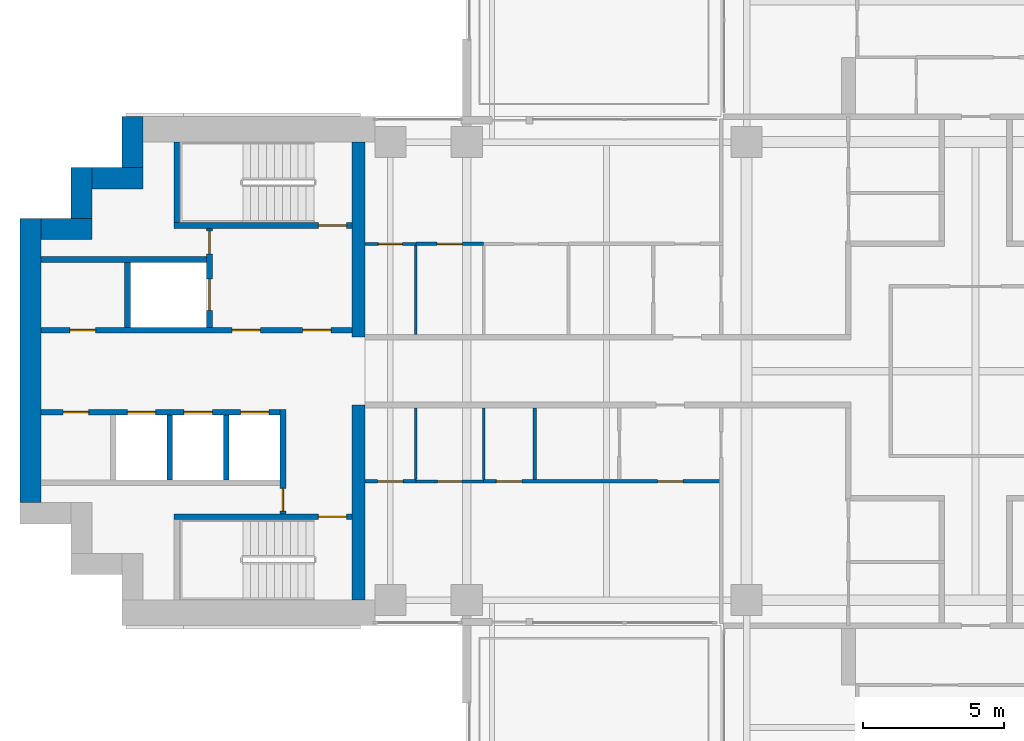
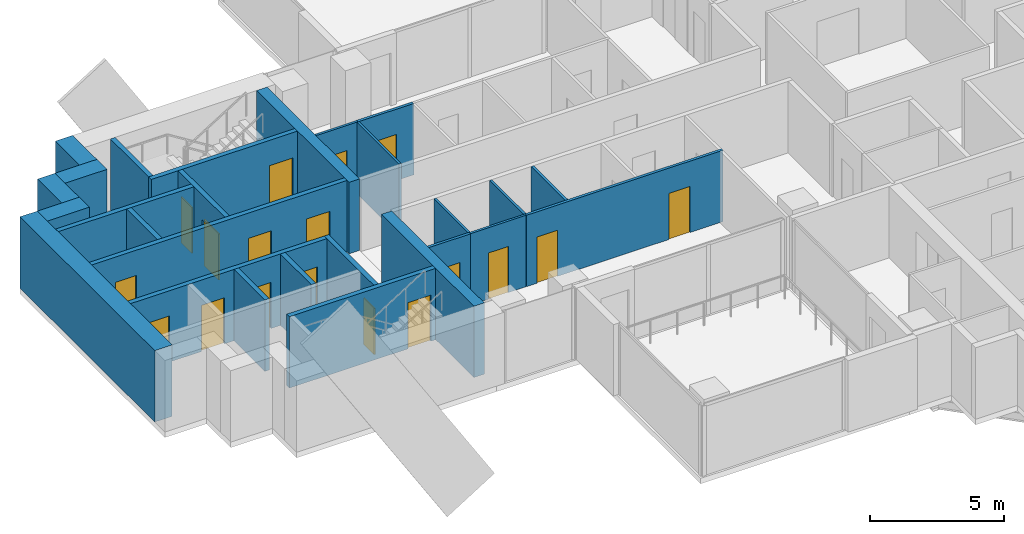
# One storey, part 9 of 19: 27 walls, 18 doors, 18 openings.
"""IFC4 building model written with IfcOpenShell, lengths in metres."""

import ifcopenshell
import ifcopenshell.guid

model = None  # the IFC model being written
_history = None  # IfcOwnerHistory: only IFC2X3 demands one
_inside = {}  # id of a spatial element -> (the spatial element, [elements in it])
_under = {}  # id of a project, library or spatial element -> (it, [spatial elements below it])
_declared = {}  # id of a project -> (the project, [libraries it declares])
_typed = {}  # id of a type object -> (the type object, [elements of that type])
_made_of = {}  # id of a material, layer set ... -> (it, [elements and type objects made of it])


def new_model(schema):
    """Start an empty IFC model of exactly this schema.

    Asked for "IFC4X3", IfcOpenShell would pick the latest addendum, in which some entities
    have other attributes; the version numbers below select the first issue.
    IFC2X3 requires an IfcOwnerHistory on every rooted entity: one is made here for all.
    """
    global model, _history
    if schema == "IFC4X3":
        model = ifcopenshell.file(schema_version=(4, 3, 0, 0))
    else:
        model = ifcopenshell.file(schema=schema)
    _inside.clear()
    _under.clear()
    _declared.clear()
    _typed.clear()
    _made_of.clear()
    _history = None
    if model.schema == "IFC2X3":
        org = make("IfcOrganization", Name="unknown")
        user = make(
            "IfcPersonAndOrganization",
            ThePerson=make("IfcPerson", FamilyName="unknown"),
            TheOrganization=org,
        )
        app = make(
            "IfcApplication",
            ApplicationDeveloper=org,
            Version="unknown",
            ApplicationFullName="unknown",
            ApplicationIdentifier="unknown",
        )
        _history = make(
            "IfcOwnerHistory",
            OwningUser=user,
            OwningApplication=app,
            ChangeAction="ADDED",
            CreationDate=0,
        )
    return model


def make(cls, **values):
    """One entity of the class cls with the attributes given. An attribute that is None is left unset."""
    return model.create_entity(
        cls, **{name: value for name, value in values.items() if value is not None}
    )


def rooted(cls, **values):
    """An entity with a GlobalId (a new one), such as an element, a storey or a relation."""
    return make(cls, GlobalId=ifcopenshell.guid.new(), OwnerHistory=_history, **values)


def si_unit(unit_type, name, prefix=None):
    """IfcSIUnit, for example si_unit("LENGTHUNIT", "METRE", prefix="MILLI")."""
    return make("IfcSIUnit", UnitType=unit_type, Prefix=prefix, Name=name)


def assignment(units):
    """IfcUnitAssignment: the units of a project."""
    return None if units is None else make("IfcUnitAssignment", Units=units)


def point(xyz):
    """IfcCartesianPoint."""
    return None if xyz is None else make("IfcCartesianPoint", Coordinates=xyz)


def direction(xyz):
    """IfcDirection."""
    return None if xyz is None else make("IfcDirection", DirectionRatios=xyz)


def frame(location, z_axis=None, x_axis=None):
    """IfcAxis2Placement3D, a coordinate frame: its origin and axes. An axis left out is left unset."""
    return make(
        "IfcAxis2Placement3D",
        Location=point(location),
        Axis=direction(z_axis),
        RefDirection=direction(x_axis),
    )


def frame_2d(location, x_axis=None):
    """IfcAxis2Placement2D, a coordinate frame in the plane: its origin and x axis."""
    return make(
        "IfcAxis2Placement2D", Location=point(location), RefDirection=direction(x_axis)
    )


def origin():
    """The frame at (0, 0, 0) with its axes left unset."""
    return frame((0.0, 0.0, 0.0))


def place(relative_to, where):
    """IfcLocalPlacement: puts the frame where relative to a parent placement (None: the world)."""
    return make(
        "IfcLocalPlacement", PlacementRelTo=relative_to, RelativePlacement=where
    )


def context(
    kind, dimensions, precision=None, world=None, true_north=None, identifier=None
):
    """IfcGeometricRepresentationContext, for example the 3D "Model" context."""
    return make(
        "IfcGeometricRepresentationContext",
        ContextIdentifier=identifier,
        ContextType=kind,
        CoordinateSpaceDimension=dimensions,
        Precision=precision,
        WorldCoordinateSystem=world,
        TrueNorth=true_north,
    )


def subcontext(parent, identifier, kind, view, scale=None):
    """IfcGeometricRepresentationSubContext, for example "Body" below "Model"."""
    return make(
        "IfcGeometricRepresentationSubContext",
        ContextIdentifier=identifier,
        ContextType=kind,
        ParentContext=parent,
        TargetScale=scale,
        TargetView=view,
    )


def project(units=None, contexts=None):
    """IfcProject with its units and contexts."""
    return rooted(
        "IfcProject",
        Name="project",
        RepresentationContexts=contexts,
        UnitsInContext=assignment(units),
    )


def spatial(cls, under=None, at=None, **own):
    """A site, building, storey or space (cls), placed at a placement, below another one or the project."""
    s = rooted(cls, ObjectPlacement=at, **own)
    if under is not None:
        _under.setdefault(under.id(), (under, []))[1].append(s)
    return s


def profile(cls, at=None, kind="AREA", **sizes):
    """A parametric profile (cls). Its sizes go by their IFC names, for example OverallWidth=200.0."""
    return make(cls, ProfileType=kind, Position=at, **sizes)


def rectangle(**sizes):
    """IfcRectangleProfileDef."""
    return profile("IfcRectangleProfileDef", **sizes)


def extrude(swept, where, along, depth):
    """IfcExtrudedAreaSolid: the profile swept, set in the frame where, extruded along a direction by depth."""
    return make(
        "IfcExtrudedAreaSolid",
        SweptArea=swept,
        Position=where,
        ExtrudedDirection=direction(along),
        Depth=depth,
    )


def shape(context_of_items, identifier, shape_type, items):
    """IfcShapeRepresentation: the items that make up one representation, for example the "Body"."""
    return make(
        "IfcShapeRepresentation",
        ContextOfItems=context_of_items,
        RepresentationIdentifier=identifier,
        RepresentationType=shape_type,
        Items=items,
    )


def material(Name=None, Category=None):
    """IfcMaterial."""
    return make("IfcMaterial", Name=Name, Category=Category)


def layer(
    of_material, thickness, ventilated=None, Name=None, Category=None, Priority=None
):
    """IfcMaterialLayer: one layer of a wall or slab, of a material (None: an air gap)."""
    return make(
        "IfcMaterialLayer",
        Material=of_material,
        LayerThickness=thickness,
        IsVentilated=ventilated,
        Name=Name,
        Category=Category,
        Priority=Priority,
    )


def layer_set(layers, Name=None):
    """IfcMaterialLayerSet."""
    return make("IfcMaterialLayerSet", MaterialLayers=layers, LayerSetName=Name)


def made_of(thing, what):
    """Note that an element or type object is made of a material, layer set ...; save() writes the relation."""
    if what is not None:
        _made_of.setdefault(what.id(), (what, []))[1].append(thing)
    return thing


def type_object(cls, material=None, **own):
    """A type object (cls), such as IfcWallType, which elements share."""
    return made_of(rooted(cls, **own), material)


def element(
    cls,
    number,
    at=None,
    inside=None,
    cuts=None,
    type_object=None,
    material=None,
    context=None,
    identifier="Body",
    shape_type=None,
    held_by="IfcProductDefinitionShape",
    body=None,
    shapes=None,
    **own,
):
    """One element of the class cls, such as IfcWall. Its Tag is "e" and its number.

    at: its placement. inside: the storey or other place that contains it. cuts: it is an
    opening in that element (IfcRelVoidsElement). A single representation is given by context,
    identifier, shape_type and body (its items); several are given by shapes. held_by: the class
    of the entity that holds the representations. save() writes the other relations.
    """
    e = rooted(cls, Tag="e%d" % number, ObjectPlacement=at, **own)
    if body is not None:
        shapes = [shape(context, identifier, shape_type, body)]
    if shapes is not None:
        e.Representation = make(held_by, Representations=shapes)
    if inside is not None:
        _inside.setdefault(inside.id(), (inside, []))[1].append(e)
    if cuts is not None:
        rooted(
            "IfcRelVoidsElement", RelatingBuildingElement=cuts, RelatedOpeningElement=e
        )
    if type_object is not None:
        _typed.setdefault(type_object.id(), (type_object, []))[1].append(e)
    return made_of(e, material)


def fill(opening, filler):
    """IfcRelFillsElement: the door or window that sits in an opening."""
    return rooted(
        "IfcRelFillsElement",
        RelatingOpeningElement=opening,
        RelatedBuildingElement=filler,
    )


def aggregate(whole, parts):
    """IfcRelAggregates: a whole, such as a stair, and the parts it consists of."""
    return rooted("IfcRelAggregates", RelatingObject=whole, RelatedObjects=parts)


def save(model, path):
    """Write the relations noted so far, then the file.

    IfcRelAggregates (storeys below a building ...), IfcRelContainedInSpatialStructure (elements
    in a storey), IfcRelDefinesByType, IfcRelAssociatesMaterial and IfcRelDeclares: one each for
    every whole, place, type object, material and project.
    """
    for whole, parts in _under.values():
        aggregate(whole, parts)
    for where, things in _inside.values():
        rooted(
            "IfcRelContainedInSpatialStructure",
            RelatedElements=things,
            RelatingStructure=where,
        )
    for kind, things in _typed.values():
        rooted("IfcRelDefinesByType", RelatedObjects=things, RelatingType=kind)
    for what, things in _made_of.values():
        rooted("IfcRelAssociatesMaterial", RelatedObjects=things, RelatingMaterial=what)
    for by, libraries in _declared.values():
        rooted("IfcRelDeclares", RelatingContext=by, RelatedDefinitions=libraries)
    model.write(path)


model = new_model("IFC4")

# Units and contexts
model_context = context("Model", 3, precision=1e-05, world=origin(), true_north=direction((0.0, 1.0)))
body_context = subcontext(model_context, "Body", "Model", "MODEL_VIEW")
ifc_project = project(units=[si_unit("LENGTHUNIT", "METRE"), si_unit("AREAUNIT", "SQUARE_METRE"), si_unit("VOLUMEUNIT", "CUBIC_METRE"), si_unit("PLANEANGLEUNIT", "RADIAN"), si_unit("MASSUNIT", "GRAM", prefix="KILO")], contexts=[model_context])

# Site, building, storey
site_placement = place(None, origin())
site = spatial("IfcSite", under=ifc_project, at=site_placement, CompositionType="ELEMENT")
building_placement = place(site_placement, origin())
building = spatial("IfcBuilding", under=site, at=building_placement, Name="Perihelion Cross Residences", CompositionType="ELEMENT")
storey_placement = place(building_placement, frame((0.0, 0.0, 137.39990234375)))
storey = spatial("IfcBuildingStorey", under=building, at=storey_placement, Name="L33", CompositionType="ELEMENT", Elevation=137.39990234375)

# Walls
ifc_material_1 = material(Name="Concrete C60/75", Category="concrete")
ifc_layer_1 = layer(ifc_material_1, 0.449951171875)
ifc_layer_set_1 = layer_set([ifc_layer_1], Name="Core wall, inner 450")
wall_type_1 = type_object("IfcWallType", Name="Core wall, inner 450", PredefinedType="SHEAR", material=ifc_layer_set_1)
for number, where, z_axis, x_axis, name in (
    (1, (-21.824951171875, -8.10009765625, 0.0), (0.0, 0.0, 1.0), (0.0, 1.0, 0.0), "West core core wall, inner"),
    (2, (-21.824951171875, 1.199951171875, 0.0), (0.0, 0.0, 1.0), (0.0, 1.0, 0.0), "West core core wall, inner"),
):
    element("IfcWall", number, at=place(storey_placement, frame(where, z_axis=z_axis, x_axis=x_axis)), inside=storey, type_object=wall_type_1, Name=name, PredefinedType="SHEAR", context=body_context, shape_type="SweptSolid", body=[
        extrude(rectangle(XDim=6.900146484375, YDim=0.449951171875, at=frame_2d((3.4501953125, 0.0))), origin(), (0.0, 0.0, 1.0), 3.25),
    ])
ifc_material_2 = material(Name="Concrete C60/75", Category="concrete")
ifc_layer_2 = layer(ifc_material_2, 0.75)
ifc_layer_set_2 = layer_set([ifc_layer_2], Name="Core wall, outer 750")
wall_type_2 = type_object("IfcWallType", Name="Core wall, outer 750", PredefinedType="SHEAR", material=ifc_layer_set_2)
wall_1_placement = place(storey_placement, frame((-33.425048828125, -4.64990234375, 0.0), z_axis=(0.0, 0.0, 1.0), x_axis=(0.0, 1.0, 0.0)))
element("IfcWall", 3, at=wall_1_placement, inside=storey, type_object=wall_type_2, Name="West core core wall, outer", PredefinedType="SHEAR", context=body_context, shape_type="SweptSolid", body=[
    extrude(rectangle(XDim=10.0498046875, YDim=0.75, at=frame_2d((5.02490234375, 0.0))), origin(), (0.0, 0.0, 1.0), 3.25),
])
for number, where, z_axis, x_axis, name in (
    (4, (-33.050048828125, 5.02490234375, 0.0), (0.0, 0.0, 1.0), (1.0, 0.0, 0.0), "West core core wall, outer"),
    (5, (-31.625, 5.39990234375, 0.0), (0.0, 0.0, 1.0), (0.0, 1.0, 0.0), "West core core wall, outer"),
    (6, (-31.25, 6.824951171875, 0.0), (0.0, 0.0, 1.0), (1.0, 0.0, 0.0), "West core core wall, outer"),
    (7, (-29.824951171875, 7.199951171875, 0.0), (0.0, 0.0, 1.0), (0.0, 1.0, 0.0), "West core core wall, outer"),
):
    element("IfcWall", number, at=place(storey_placement, frame(where, z_axis=z_axis, x_axis=x_axis)), inside=storey, type_object=wall_type_2, Name=name, PredefinedType="SHEAR", context=body_context, shape_type="SweptSolid", body=[
        extrude(rectangle(XDim=1.800048828125, YDim=0.75, at=frame_2d((0.89990234375, 0.0))), origin(), (0.0, 0.0, 1.0), 3.25),
    ])

# Wall, opening, door
ifc_material_3 = material(Name="Concrete C50/60", Category="concrete")
ifc_layer_3 = layer(ifc_material_3, 0.199951171875)
ifc_layer_set_3 = layer_set([ifc_layer_3], Name="Lobby wall 200")
wall_type_3 = type_object("IfcWallType", Name="Lobby wall 200", PredefinedType="SOLIDWALL", material=ifc_layer_set_3)
wall_2_placement = place(storey_placement, frame((-24.5, -5.050048828125, 0.0), z_axis=(0.0, 0.0, 1.0), x_axis=(0.0, 1.0, 0.0)))
wall_2 = element("IfcWall", 8, at=wall_2_placement, inside=storey, type_object=wall_type_3, Name="West core lobby wall", PredefinedType="SOLIDWALL", context=body_context, shape_type="SweptSolid", body=[
    extrude(rectangle(XDim=3.699951171875, YDim=0.199951171875, at=frame_2d((1.85009765625, 0.0))), origin(), (0.0, 0.0, 1.0), 3.25),
])
opening_1_placement = place(wall_2_placement, frame((0.10009765625, 0.0, 0.0)))
opening_1 = element("IfcOpeningElement", 9, at=opening_1_placement, cuts=wall_2, Name="Opening L33.C20", PredefinedType="OPENING", context=body_context, shape_type="SweptSolid", body=[
    extrude(rectangle(XDim=0.800048828125, YDim=2.10009765625, at=frame_2d((0.39990234375, 1.050048828125))), frame((0.0, 0.10986328125, 0.0), z_axis=(0.0, -1.0, 0.0), x_axis=(1.0, 0.0, 0.0)), (0.0, 0.0, 1.0), 0.219970703125),
])
ifc_material_4 = material(Name="Steel, powder coated", Category="steel")
door_type_1 = type_object("IfcDoorType", Name="Riser door 800", OperationType="SINGLE_SWING_LEFT", PredefinedType="DOOR", material=ifc_material_4)
door_1_placement = place(opening_1_placement, origin())
door_1 = element("IfcDoor", 10, at=door_1_placement, inside=storey, type_object=door_type_1, Name="West core riser door", OperationType="SINGLE_SWING_LEFT", OverallHeight=2.10009765625, OverallWidth=0.800048828125, PredefinedType="DOOR", context=body_context, shape_type="SweptSolid", body=[
    extrude(rectangle(XDim=0.800048828125, YDim=2.10009765625, at=frame_2d((0.39990234375, 1.050048828125))), frame((0.0, 0.02490234375, 0.0), z_axis=(0.0, -1.0, 0.0), x_axis=(1.0, 0.0, 0.0)), (0.0, 0.0, 1.0), 0.050048828125),
])
fill(opening_1, door_1)

ifc_material_5 = material(Name="Plasterboard partition")
ifc_layer_4 = layer(ifc_material_5, 0.1201171875)
ifc_layer_set_4 = layer_set([ifc_layer_4], Name="Partition wall 120")
wall_type_4 = type_object("IfcWallType", Name="Partition wall 120", PredefinedType="PARTITIONING", material=ifc_layer_set_4)
wall_3_placement = place(storey_placement, frame((-19.800048828125, 4.5, 0.0), z_axis=(0.0, 0.0, 1.0), x_axis=(1.0, 0.0, 0.0)))
wall_3 = element("IfcWall", 11, at=wall_3_placement, inside=storey, type_object=wall_type_4, Name="Partition L33 W048", PredefinedType="PARTITIONING", context=body_context, shape_type="SweptSolid", body=[
    extrude(rectangle(XDim=2.400146484375, YDim=0.1201171875, at=frame_2d((1.2001953125, 0.0))), origin(), (0.0, 0.0, 1.0), 3.25),
])
opening_2_placement = place(wall_3_placement, frame((0.75, 0.0, 0.0)))
opening_2 = element("IfcOpeningElement", 12, at=opening_2_placement, cuts=wall_3, Name="Opening L33.A23", PredefinedType="OPENING", context=body_context, shape_type="SweptSolid", body=[
    extrude(rectangle(XDim=0.89990234375, YDim=2.10009765625, at=frame_2d((0.449951171875, 1.050048828125))), frame((0.0, 0.070068359375, 0.0), z_axis=(0.0, -1.0, 0.0), x_axis=(1.0, 0.0, 0.0)), (0.0, 0.0, 1.0), 0.14013671875),
])
ifc_material_6 = material(Name="Timber door leaf", Category="wood")
door_type_2 = type_object("IfcDoorType", Name="Interior room door 900 x 2100", OperationType="SINGLE_SWING_LEFT", PredefinedType="DOOR", material=ifc_material_6)
door_2_placement = place(opening_2_placement, origin())
door_2 = element("IfcDoor", 13, at=door_2_placement, inside=storey, type_object=door_type_2, Name="Door L33.A23", OperationType="SINGLE_SWING_LEFT", OverallHeight=2.10009765625, OverallWidth=0.89990234375, PredefinedType="DOOR", context=body_context, shape_type="SweptSolid", body=[
    extrude(rectangle(XDim=0.89990234375, YDim=2.10009765625, at=frame_2d((0.449951171875, 1.050048828125))), frame((0.0, 0.02490234375, 0.0), z_axis=(0.0, -1.0, 0.0), x_axis=(1.0, 0.0, 0.0)), (0.0, 0.0, 1.0), 0.050048828125),
])
fill(opening_2, door_2)

# Wall, openings, doors
wall_4_placement = place(storey_placement, frame((-8.93994140625, -3.89990234375, 0.0), z_axis=(0.0, 0.0, 1.0), x_axis=(-1.0, 0.0, 0.0)))
wall_4 = element("IfcWall", 14, at=wall_4_placement, inside=storey, type_object=wall_type_4, Name="Partition L33 W054", PredefinedType="PARTITIONING", context=body_context, shape_type="SweptSolid", body=[
    extrude(rectangle(XDim=8.4599609375, YDim=0.1201171875, at=frame_2d((4.22998046875, 0.0))), origin(), (0.0, 0.0, 1.0), 3.25),
])
opening_3_placement = place(wall_4_placement, frame((7.110107421875, 0.0, 0.0)))
opening_3 = element("IfcOpeningElement", 15, at=opening_3_placement, cuts=wall_4, Name="Opening L33.A27", PredefinedType="OPENING", context=body_context, shape_type="SweptSolid", body=[
    extrude(rectangle(XDim=0.89990234375, YDim=2.10009765625, at=frame_2d((0.449951171875, 1.050048828125))), frame((0.0, 0.070068359375, 0.0), z_axis=(0.0, -1.0, 0.0), x_axis=(1.0, 0.0, 0.0)), (0.0, 0.0, 1.0), 0.14013671875),
])
opening_4_placement = place(wall_4_placement, frame((1.409912109375, 0.0, 0.0)))
opening_4 = element("IfcOpeningElement", 16, at=opening_4_placement, cuts=wall_4, Name="Opening L33.A31", PredefinedType="OPENING", context=body_context, shape_type="SweptSolid", body=[
    extrude(rectangle(XDim=0.89990234375, YDim=2.10009765625, at=frame_2d((0.449951171875, 1.050048828125))), frame((0.0, 0.070068359375, 0.0), z_axis=(0.0, -1.0, 0.0), x_axis=(1.0, 0.0, 0.0)), (0.0, 0.0, 1.0), 0.14013671875),
])
door_3_placement = place(opening_3_placement, origin())
door_3 = element("IfcDoor", 17, at=door_3_placement, inside=storey, type_object=door_type_2, Name="Door L33.A27", OperationType="SINGLE_SWING_RIGHT", OverallHeight=2.10009765625, OverallWidth=0.89990234375, PredefinedType="DOOR", context=body_context, shape_type="SweptSolid", body=[
    extrude(rectangle(XDim=0.89990234375, YDim=2.10009765625, at=frame_2d((0.449951171875, 1.050048828125))), frame((0.0, 0.02490234375, 0.0), z_axis=(0.0, -1.0, 0.0), x_axis=(1.0, 0.0, 0.0)), (0.0, 0.0, 1.0), 0.050048828125),
])
fill(opening_3, door_3)
door_4_placement = place(opening_4_placement, origin())
door_4 = element("IfcDoor", 18, at=door_4_placement, inside=storey, type_object=door_type_2, Name="Door L33.A31", OperationType="SINGLE_SWING_RIGHT", OverallHeight=2.10009765625, OverallWidth=0.89990234375, PredefinedType="DOOR", context=body_context, shape_type="SweptSolid", body=[
    extrude(rectangle(XDim=0.89990234375, YDim=2.10009765625, at=frame_2d((0.449951171875, 1.050048828125))), frame((0.0, 0.02490234375, 0.0), z_axis=(0.0, -1.0, 0.0), x_axis=(1.0, 0.0, 0.0)), (0.0, 0.0, 1.0), 0.050048828125),
])
fill(opening_4, door_4)

# Wall
wall_5_placement = place(storey_placement, frame((-15.60009765625, -3.840087890625, 0.0), z_axis=(0.0, 0.0, 1.0), x_axis=(0.0, 1.0, 0.0)))
element("IfcWall", 19, at=wall_5_placement, inside=storey, type_object=wall_type_4, Name="Partition L33 W056", PredefinedType="PARTITIONING", context=body_context, shape_type="SweptSolid", body=[
    extrude(rectangle(XDim=2.5400390625, YDim=0.1201171875, at=frame_2d((1.27001953125, 0.0))), origin(), (0.0, 0.0, 1.0), 3.25),
])

# Wall, opening, door
wall_6_placement = place(storey_placement, frame((-19.800048828125, -3.89990234375, 0.0), z_axis=(0.0, 0.0, 1.0), x_axis=(-1.0, 0.0, 0.0)))
wall_6 = element("IfcWall", 20, at=wall_6_placement, inside=storey, type_object=wall_type_4, Name="Partition L33 W060", PredefinedType="PARTITIONING", context=body_context, shape_type="SweptSolid", body=[
    extrude(rectangle(XDim=1.800048828125, YDim=0.1201171875, at=frame_2d((0.89990234375, 0.0))), origin(), (0.0, 0.0, 1.0), 3.25),
])
opening_5_placement = place(wall_6_placement, frame((0.449951171875, 0.0, 0.0)))
opening_5 = element("IfcOpeningElement", 21, at=opening_5_placement, cuts=wall_6, Name="Opening L33.A25", PredefinedType="OPENING", context=body_context, shape_type="SweptSolid", body=[
    extrude(rectangle(XDim=0.89990234375, YDim=2.10009765625, at=frame_2d((0.449951171875, 1.050048828125))), frame((0.0, 0.070068359375, 0.0), z_axis=(0.0, -1.0, 0.0), x_axis=(1.0, 0.0, 0.0)), (0.0, 0.0, 1.0), 0.14013671875),
])
door_5_placement = place(opening_5_placement, origin())
door_5 = element("IfcDoor", 22, at=door_5_placement, inside=storey, type_object=door_type_2, Name="Door L33.A25", OperationType="SINGLE_SWING_RIGHT", OverallHeight=2.10009765625, OverallWidth=0.89990234375, PredefinedType="DOOR", context=body_context, shape_type="SweptSolid", body=[
    extrude(rectangle(XDim=0.89990234375, YDim=2.10009765625, at=frame_2d((0.449951171875, 1.050048828125))), frame((0.0, 0.02490234375, 0.0), z_axis=(0.0, -1.0, 0.0), x_axis=(1.0, 0.0, 0.0)), (0.0, 0.0, 1.0), 0.050048828125),
])
fill(opening_5, door_5)

# Wall, openings, doors
ifc_material_7 = material(Name="Concrete C50/60", Category="concrete")
ifc_layer_5 = layer(ifc_material_7, 0.199951171875)
ifc_layer_set_5 = layer_set([ifc_layer_5], Name="Shaft wall 200")
wall_type_5 = type_object("IfcWallType", Name="Shaft wall 200", PredefinedType="SOLIDWALL", material=ifc_layer_set_5)
wall_7_placement = place(storey_placement, frame((-33.050048828125, 1.449951171875, 0.0), z_axis=(0.0, 0.0, 1.0), x_axis=(1.0, 0.0, 0.0)))
wall_7 = element("IfcWall", 23, at=wall_7_placement, inside=storey, type_object=wall_type_5, Name="West core shaft wall", PredefinedType="SOLIDWALL", context=body_context, shape_type="SweptSolid", body=[
    extrude(rectangle(XDim=11.0, YDim=0.199951171875, at=frame_2d((5.5, 0.0))), origin(), (0.0, 0.0, 1.0), 3.25),
])
opening_6_placement = place(wall_7_placement, frame((9.25, 0.0, 0.0)))
opening_6 = element("IfcOpeningElement", 24, at=opening_6_placement, cuts=wall_7, Name="Opening L33.C19", PredefinedType="OPENING", context=body_context, shape_type="SweptSolid", body=[
    extrude(rectangle(XDim=1.0, YDim=2.10009765625, at=frame_2d((0.5, 1.050048828125))), frame((0.0, 0.10986328125, 0.0), z_axis=(0.0, -1.0, 0.0), x_axis=(1.0, 0.0, 0.0)), (0.0, 0.0, 1.0), 0.219970703125),
])
opening_7_placement = place(wall_7_placement, frame((6.75, 0.0, 0.0)))
opening_7 = element("IfcOpeningElement", 25, at=opening_7_placement, cuts=wall_7, Name="Opening L33.C21", PredefinedType="OPENING", context=body_context, shape_type="SweptSolid", body=[
    extrude(rectangle(XDim=1.0, YDim=2.10009765625, at=frame_2d((0.5, 1.050048828125))), frame((0.0, 0.10986328125, 0.0), z_axis=(0.0, -1.0, 0.0), x_axis=(1.0, 0.0, 0.0)), (0.0, 0.0, 1.0), 0.219970703125),
])
opening_8_placement = place(wall_7_placement, frame((1.02490234375, 0.0, 0.0)))
opening_8 = element("IfcOpeningElement", 26, at=opening_8_placement, cuts=wall_7, Name="Opening L33.C23", PredefinedType="OPENING", context=body_context, shape_type="SweptSolid", body=[
    extrude(rectangle(XDim=0.89990234375, YDim=2.10009765625, at=frame_2d((0.449951171875, 1.050048828125))), frame((0.0, 0.10986328125, 0.0), z_axis=(0.0, -1.0, 0.0), x_axis=(1.0, 0.0, 0.0)), (0.0, 0.0, 1.0), 0.219970703125),
])
ifc_material_8 = material(Name="Steel, powder coated", Category="steel")
door_type_3 = type_object("IfcDoorType", Name="Lobby door 1000", OperationType="SINGLE_SWING_LEFT", PredefinedType="DOOR", material=ifc_material_8)
door_6_placement = place(opening_6_placement, origin())
door_6 = element("IfcDoor", 27, at=door_6_placement, inside=storey, type_object=door_type_3, Name="West core firefighting lobby door", OperationType="SINGLE_SWING_LEFT", OverallHeight=2.10009765625, OverallWidth=1.0, PredefinedType="DOOR", context=body_context, shape_type="SweptSolid", body=[
    extrude(rectangle(XDim=1.0, YDim=2.10009765625, at=frame_2d((0.5, 1.050048828125))), frame((0.0, 0.02490234375, 0.0), z_axis=(0.0, -1.0, 0.0), x_axis=(1.0, 0.0, 0.0)), (0.0, 0.0, 1.0), 0.050048828125),
])
fill(opening_6, door_6)
door_7_placement = place(opening_7_placement, origin())
door_7 = element("IfcDoor", 28, at=door_7_placement, inside=storey, type_object=door_type_3, Name="West core firefighting lobby door", OperationType="SINGLE_SWING_LEFT", OverallHeight=2.10009765625, OverallWidth=1.0, PredefinedType="DOOR", context=body_context, shape_type="SweptSolid", body=[
    extrude(rectangle(XDim=1.0, YDim=2.10009765625, at=frame_2d((0.5, 1.050048828125))), frame((0.0, 0.02490234375, 0.0), z_axis=(0.0, -1.0, 0.0), x_axis=(1.0, 0.0, 0.0)), (0.0, 0.0, 1.0), 0.050048828125),
])
fill(opening_7, door_7)
ifc_material_9 = material(Name="Steel, powder coated", Category="steel")
door_type_4 = type_object("IfcDoorType", Name="Service room door 900", OperationType="SINGLE_SWING_LEFT", PredefinedType="DOOR", material=ifc_material_9)
door_8_placement = place(opening_8_placement, origin())
door_8 = element("IfcDoor", 29, at=door_8_placement, inside=storey, type_object=door_type_4, Name="West core service room door", OperationType="SINGLE_SWING_LEFT", OverallHeight=2.10009765625, OverallWidth=0.89990234375, PredefinedType="DOOR", context=body_context, shape_type="SweptSolid", body=[
    extrude(rectangle(XDim=0.89990234375, YDim=2.10009765625, at=frame_2d((0.449951171875, 1.050048828125))), frame((0.0, 0.02490234375, 0.0), z_axis=(0.0, -1.0, 0.0), x_axis=(1.0, 0.0, 0.0)), (0.0, 0.0, 1.0), 0.050048828125),
])
fill(opening_8, door_8)

wall_8_placement = place(storey_placement, frame((-33.050048828125, -1.449951171875, 0.0), z_axis=(0.0, 0.0, 1.0), x_axis=(1.0, 0.0, 0.0)))
wall_8 = element("IfcWall", 30, at=wall_8_placement, inside=storey, type_object=wall_type_5, Name="West core shaft wall", PredefinedType="SOLIDWALL", context=body_context, shape_type="SweptSolid", body=[
    extrude(rectangle(XDim=8.449951171875, YDim=0.199951171875, at=frame_2d((4.22509765625, 0.0))), origin(), (0.0, 0.0, 1.0), 3.25),
])
opening_9_placement = place(wall_8_placement, frame((7.050048828125, 0.0, 0.0)))
opening_9 = element("IfcOpeningElement", 31, at=opening_9_placement, cuts=wall_8, Name="Opening L33.C13", PredefinedType="OPENING", context=body_context, shape_type="SweptSolid", body=[
    extrude(rectangle(XDim=1.0, YDim=2.10009765625, at=frame_2d((0.5, 1.050048828125))), frame((0.0, 0.10986328125, 0.0), z_axis=(0.0, -1.0, 0.0), x_axis=(1.0, 0.0, 0.0)), (0.0, 0.0, 1.0), 0.219970703125),
])
opening_10_placement = place(wall_8_placement, frame((5.050048828125, 0.0, 0.0)))
opening_10 = element("IfcOpeningElement", 32, at=opening_10_placement, cuts=wall_8, Name="Opening L33.C15", PredefinedType="OPENING", context=body_context, shape_type="SweptSolid", body=[
    extrude(rectangle(XDim=1.0, YDim=2.10009765625, at=frame_2d((0.5, 1.050048828125))), frame((0.0, 0.10986328125, 0.0), z_axis=(0.0, -1.0, 0.0), x_axis=(1.0, 0.0, 0.0)), (0.0, 0.0, 1.0), 0.219970703125),
])
opening_11_placement = place(wall_8_placement, frame((3.050048828125, 0.0, 0.0)))
opening_11 = element("IfcOpeningElement", 33, at=opening_11_placement, cuts=wall_8, Name="Opening L33.C16", PredefinedType="OPENING", context=body_context, shape_type="SweptSolid", body=[
    extrude(rectangle(XDim=1.0, YDim=2.10009765625, at=frame_2d((0.5, 1.050048828125))), frame((0.0, 0.10986328125, 0.0), z_axis=(0.0, -1.0, 0.0), x_axis=(1.0, 0.0, 0.0)), (0.0, 0.0, 1.0), 0.219970703125),
])
opening_12_placement = place(wall_8_placement, frame((0.77490234375, 0.0, 0.0)))
opening_12 = element("IfcOpeningElement", 34, at=opening_12_placement, cuts=wall_8, Name="Opening L33.C24", PredefinedType="OPENING", context=body_context, shape_type="SweptSolid", body=[
    extrude(rectangle(XDim=0.89990234375, YDim=2.10009765625, at=frame_2d((0.449951171875, 1.050048828125))), frame((0.0, 0.10986328125, 0.0), z_axis=(0.0, -1.0, 0.0), x_axis=(1.0, 0.0, 0.0)), (0.0, 0.0, 1.0), 0.219970703125),
])
ifc_material_10 = material(Name="Stainless steel", Category="steel")
door_type_5 = type_object("IfcDoorType", Name="Landing door 1000", OperationType="DOUBLE_DOOR_SLIDING", PredefinedType="DOOR", material=ifc_material_10)
door_9_placement = place(opening_9_placement, origin())
door_9 = element("IfcDoor", 35, at=door_9_placement, inside=storey, type_object=door_type_5, Name="Landing door, West core high-rise lift 1", OperationType="DOUBLE_DOOR_SLIDING", OverallHeight=2.10009765625, OverallWidth=1.0, PredefinedType="DOOR", context=body_context, shape_type="SweptSolid", body=[
    extrude(rectangle(XDim=1.0, YDim=2.10009765625, at=frame_2d((0.5, 1.050048828125))), frame((0.0, 0.02490234375, 0.0), z_axis=(0.0, -1.0, 0.0), x_axis=(1.0, 0.0, 0.0)), (0.0, 0.0, 1.0), 0.050048828125),
])
fill(opening_9, door_9)
door_10_placement = place(opening_10_placement, origin())
door_10 = element("IfcDoor", 36, at=door_10_placement, inside=storey, type_object=door_type_5, Name="Landing door, West core high-rise lift 2", OperationType="DOUBLE_DOOR_SLIDING", OverallHeight=2.10009765625, OverallWidth=1.0, PredefinedType="DOOR", context=body_context, shape_type="SweptSolid", body=[
    extrude(rectangle(XDim=1.0, YDim=2.10009765625, at=frame_2d((0.5, 1.050048828125))), frame((0.0, 0.02490234375, 0.0), z_axis=(0.0, -1.0, 0.0), x_axis=(1.0, 0.0, 0.0)), (0.0, 0.0, 1.0), 0.050048828125),
])
fill(opening_10, door_10)
door_11_placement = place(opening_11_placement, origin())
door_11 = element("IfcDoor", 37, at=door_11_placement, inside=storey, type_object=door_type_5, Name="Landing door, West core high-rise lift 3", OperationType="DOUBLE_DOOR_SLIDING", OverallHeight=2.10009765625, OverallWidth=1.0, PredefinedType="DOOR", context=body_context, shape_type="SweptSolid", body=[
    extrude(rectangle(XDim=1.0, YDim=2.10009765625, at=frame_2d((0.5, 1.050048828125))), frame((0.0, 0.02490234375, 0.0), z_axis=(0.0, -1.0, 0.0), x_axis=(1.0, 0.0, 0.0)), (0.0, 0.0, 1.0), 0.050048828125),
])
fill(opening_11, door_11)
door_12_placement = place(opening_12_placement, origin())
door_12 = element("IfcDoor", 38, at=door_12_placement, inside=storey, type_object=door_type_4, Name="West core service room door", OperationType="SINGLE_SWING_LEFT", OverallHeight=2.10009765625, OverallWidth=0.89990234375, PredefinedType="DOOR", context=body_context, shape_type="SweptSolid", body=[
    extrude(rectangle(XDim=0.89990234375, YDim=2.10009765625, at=frame_2d((0.449951171875, 1.050048828125))), frame((0.0, 0.02490234375, 0.0), z_axis=(0.0, -1.0, 0.0), x_axis=(1.0, 0.0, 0.0)), (0.0, 0.0, 1.0), 0.050048828125),
])
fill(opening_12, door_12)

# Wall
wall_9_placement = place(storey_placement, frame((-33.050048828125, 3.949951171875, 0.0), z_axis=(0.0, 0.0, 1.0), x_axis=(1.0, 0.0, 0.0)))
element("IfcWall", 39, at=wall_9_placement, inside=storey, type_object=wall_type_5, Name="West core shaft wall", PredefinedType="SOLIDWALL", context=body_context, shape_type="SweptSolid", body=[
    extrude(rectangle(XDim=5.85009765625, YDim=0.199951171875, at=frame_2d((2.925048828125, 0.0))), origin(), (0.0, 0.0, 1.0), 3.25),
])

# Wall, openings, doors
wall_10_placement = place(storey_placement, frame((-27.10009765625, 1.550048828125, 0.0), z_axis=(0.0, 0.0, 1.0), x_axis=(0.0, 1.0, 0.0)))
wall_10 = element("IfcWall", 40, at=wall_10_placement, inside=storey, type_object=wall_type_5, Name="West core shaft wall", PredefinedType="SOLIDWALL", context=body_context, shape_type="SweptSolid", body=[
    extrude(rectangle(XDim=3.5, YDim=0.199951171875, at=frame_2d((1.75, 0.0))), origin(), (0.0, 0.0, 1.0), 3.25),
])
opening_13_placement = place(wall_10_placement, frame((0.60009765625, 0.0, 0.0)))
opening_13 = element("IfcOpeningElement", 41, at=opening_13_placement, cuts=wall_10, Name="Opening L33.C14", PredefinedType="OPENING", context=body_context, shape_type="SweptSolid", body=[
    extrude(rectangle(XDim=1.10009765625, YDim=2.10009765625, at=frame_2d((0.550048828125, 1.050048828125))), frame((0.0, 0.10986328125, 0.0), z_axis=(0.0, -1.0, 0.0), x_axis=(1.0, 0.0, 0.0)), (0.0, 0.0, 1.0), 0.219970703125),
])
opening_14_placement = place(wall_10_placement, frame((2.60009765625, 0.0, 0.0)))
opening_14 = element("IfcOpeningElement", 42, at=opening_14_placement, cuts=wall_10, Name="Opening L33.C22", PredefinedType="OPENING", context=body_context, shape_type="SweptSolid", body=[
    extrude(rectangle(XDim=0.800048828125, YDim=2.10009765625, at=frame_2d((0.39990234375, 1.050048828125))), frame((0.0, 0.10986328125, 0.0), z_axis=(0.0, -1.0, 0.0), x_axis=(1.0, 0.0, 0.0)), (0.0, 0.0, 1.0), 0.219970703125),
])
ifc_material_11 = material(Name="Stainless steel", Category="steel")
door_type_6 = type_object("IfcDoorType", Name="Landing door, firefighting lift 1100", OperationType="DOUBLE_DOOR_SLIDING", PredefinedType="DOOR", material=ifc_material_11)
door_13_placement = place(opening_13_placement, origin())
door_13 = element("IfcDoor", 43, at=door_13_placement, inside=storey, type_object=door_type_6, Name="Landing door, West core firefighting and service lift", OperationType="DOUBLE_DOOR_SLIDING", OverallHeight=2.10009765625, OverallWidth=1.10009765625, PredefinedType="DOOR", context=body_context, shape_type="SweptSolid", body=[
    extrude(rectangle(XDim=1.10009765625, YDim=2.10009765625, at=frame_2d((0.550048828125, 1.050048828125))), frame((0.0, 0.02490234375, 0.0), z_axis=(0.0, -1.0, 0.0), x_axis=(1.0, 0.0, 0.0)), (0.0, 0.0, 1.0), 0.050048828125),
])
fill(opening_13, door_13)
door_14_placement = place(opening_14_placement, origin())
door_14 = element("IfcDoor", 44, at=door_14_placement, inside=storey, type_object=door_type_1, Name="West core riser door", OperationType="SINGLE_SWING_LEFT", OverallHeight=2.10009765625, OverallWidth=0.800048828125, PredefinedType="DOOR", context=body_context, shape_type="SweptSolid", body=[
    extrude(rectangle(XDim=0.800048828125, YDim=2.10009765625, at=frame_2d((0.39990234375, 1.050048828125))), frame((0.0, 0.02490234375, 0.0), z_axis=(0.0, -1.0, 0.0), x_axis=(1.0, 0.0, 0.0)), (0.0, 0.0, 1.0), 0.050048828125),
])
fill(opening_14, door_14)

# Walls
for number, where, z_axis, x_axis, name in (
    (45, (-30.0, 1.550048828125, 0.0), (0.0, 0.0, 1.0), (0.0, 1.0, 0.0), "West core shaft wall"),
    (46, (-26.5, -3.85009765625, 0.0), (0.0, 0.0, 1.0), (0.0, 1.0, 0.0), "West core shaft wall"),
    (47, (-28.5, -3.85009765625, 0.0), (0.0, 0.0, 1.0), (0.0, 1.0, 0.0), "West core shaft wall"),
):
    element("IfcWall", number, at=place(storey_placement, frame(where, z_axis=z_axis, x_axis=x_axis)), inside=storey, type_object=wall_type_5, Name=name, PredefinedType="SOLIDWALL", context=body_context, shape_type="SweptSolid", body=[
        extrude(rectangle(XDim=2.300048828125, YDim=0.199951171875, at=frame_2d((1.14990234375, 0.0))), origin(), (0.0, 0.0, 1.0), 3.25),
    ])

# Wall, opening, door
ifc_material_12 = material(Name="Concrete C50/60", Category="concrete")
ifc_layer_6 = layer(ifc_material_12, 0.199951171875)
ifc_layer_set_6 = layer_set([ifc_layer_6], Name="Stair wall 200")
wall_type_6 = type_object("IfcWallType", Name="Stair wall 200", PredefinedType="SOLIDWALL", material=ifc_layer_set_6)
wall_11_placement = place(storey_placement, frame((-28.35009765625, 5.14990234375, 0.0), z_axis=(0.0, 0.0, 1.0), x_axis=(1.0, 0.0, 0.0)))
wall_11 = element("IfcWall", 48, at=wall_11_placement, inside=storey, type_object=wall_type_6, Name="West core stair wall", PredefinedType="SOLIDWALL", context=body_context, shape_type="SweptSolid", body=[
    extrude(rectangle(XDim=6.300048828125, YDim=0.199951171875, at=frame_2d((3.14990234375, 0.0))), origin(), (0.0, 0.0, 1.0), 3.25),
])
opening_15_placement = place(wall_11_placement, frame((5.10009765625, 0.0, 0.0)))
opening_15 = element("IfcOpeningElement", 49, at=opening_15_placement, cuts=wall_11, Name="Opening L33.C18", PredefinedType="OPENING", context=body_context, shape_type="SweptSolid", body=[
    extrude(rectangle(XDim=1.0, YDim=2.10009765625, at=frame_2d((0.5, 1.050048828125))), frame((0.0, 0.10986328125, 0.0), z_axis=(0.0, -1.0, 0.0), x_axis=(1.0, 0.0, 0.0)), (0.0, 0.0, 1.0), 0.219970703125),
])
ifc_material_13 = material(Name="Steel, powder coated", Category="steel")
door_type_7 = type_object("IfcDoorType", Name="Stair door 1000", OperationType="SINGLE_SWING_LEFT", PredefinedType="DOOR", material=ifc_material_13)
door_15_placement = place(opening_15_placement, origin())
door_15 = element("IfcDoor", 50, at=door_15_placement, inside=storey, type_object=door_type_7, Name="West core stair door", OperationType="SINGLE_SWING_LEFT", OverallHeight=2.10009765625, OverallWidth=1.0, PredefinedType="DOOR", context=body_context, shape_type="SweptSolid", body=[
    extrude(rectangle(XDim=1.0, YDim=2.10009765625, at=frame_2d((0.5, 1.050048828125))), frame((0.0, 0.02490234375, 0.0), z_axis=(0.0, -1.0, 0.0), x_axis=(1.0, 0.0, 0.0)), (0.0, 0.0, 1.0), 0.050048828125),
])
fill(opening_15, door_15)

wall_12_placement = place(storey_placement, frame((-28.35009765625, -5.14990234375, 0.0), z_axis=(0.0, 0.0, 1.0), x_axis=(1.0, 0.0, 0.0)))
wall_12 = element("IfcWall", 51, at=wall_12_placement, inside=storey, type_object=wall_type_6, Name="West core stair wall", PredefinedType="SOLIDWALL", context=body_context, shape_type="SweptSolid", body=[
    extrude(rectangle(XDim=6.300048828125, YDim=0.199951171875, at=frame_2d((3.14990234375, 0.0))), origin(), (0.0, 0.0, 1.0), 3.25),
])
opening_16_placement = place(wall_12_placement, frame((5.10009765625, 0.0, 0.0)))
opening_16 = element("IfcOpeningElement", 52, at=opening_16_placement, cuts=wall_12, Name="Opening L33.C17", PredefinedType="OPENING", context=body_context, shape_type="SweptSolid", body=[
    extrude(rectangle(XDim=1.0, YDim=2.10009765625, at=frame_2d((0.5, 1.050048828125))), frame((0.0, 0.10986328125, 0.0), z_axis=(0.0, -1.0, 0.0), x_axis=(1.0, 0.0, 0.0)), (0.0, 0.0, 1.0), 0.219970703125),
])
door_16_placement = place(opening_16_placement, origin())
door_16 = element("IfcDoor", 53, at=door_16_placement, inside=storey, type_object=door_type_7, Name="West core stair door", OperationType="SINGLE_SWING_LEFT", OverallHeight=2.10009765625, OverallWidth=1.0, PredefinedType="DOOR", context=body_context, shape_type="SweptSolid", body=[
    extrude(rectangle(XDim=1.0, YDim=2.10009765625, at=frame_2d((0.5, 1.050048828125))), frame((0.0, 0.02490234375, 0.0), z_axis=(0.0, -1.0, 0.0), x_axis=(1.0, 0.0, 0.0)), (0.0, 0.0, 1.0), 0.050048828125),
])
fill(opening_16, door_16)

# Walls
wall_13_placement = place(storey_placement, frame((-28.25, 5.25, 0.0), z_axis=(0.0, 0.0, 1.0), x_axis=(0.0, 1.0, 0.0)))
element("IfcWall", 54, at=wall_13_placement, inside=storey, type_object=wall_type_6, Name="West core stair wall", PredefinedType="SOLIDWALL", context=body_context, shape_type="SweptSolid", body=[
    extrude(rectangle(XDim=2.85009765625, YDim=0.199951171875, at=frame_2d((1.425048828125, 0.0))), origin(), (0.0, 0.0, 1.0), 3.25),
])
ifc_material_14 = material(Name="Plasterboard partition")
ifc_layer_7 = layer(ifc_material_14, 0.10009765625)
ifc_layer_set_7 = layer_set([ifc_layer_7], Name="Wet room wall 100")
wall_type_7 = type_object("IfcWallType", Name="Wet room wall 100", PredefinedType="PARTITIONING", material=ifc_layer_set_7)
wall_14_placement = place(storey_placement, frame((-19.800048828125, 1.300048828125, 0.0), z_axis=(0.0, 0.0, 1.0), x_axis=(0.0, 1.0, 0.0)))
element("IfcWall", 55, at=wall_14_placement, inside=storey, type_object=wall_type_7, Name="Partition L33 W047", PredefinedType="PARTITIONING", context=body_context, shape_type="SweptSolid", body=[
    extrude(rectangle(XDim=3.139892578125, YDim=0.10009765625, at=frame_2d((1.56982421875, 0.0))), origin(), (0.0, 0.0, 1.0), 3.25),
])

# Wall, opening, door
wall_15_placement = place(storey_placement, frame((-21.60009765625, 4.5, 0.0), z_axis=(0.0, 0.0, 1.0), x_axis=(1.0, 0.0, 0.0)))
wall_15 = element("IfcWall", 56, at=wall_15_placement, inside=storey, type_object=wall_type_7, Name="Partition L33 W049", PredefinedType="PARTITIONING", context=body_context, shape_type="SweptSolid", body=[
    extrude(rectangle(XDim=1.800048828125, YDim=0.10009765625, at=frame_2d((0.89990234375, 0.0))), origin(), (0.0, 0.0, 1.0), 3.25),
])
opening_17_placement = place(wall_15_placement, frame((0.47509765625, 0.0, 0.0)))
opening_17 = element("IfcOpeningElement", 57, at=opening_17_placement, cuts=wall_15, Name="Opening L33.A21", PredefinedType="OPENING", context=body_context, shape_type="SweptSolid", body=[
    extrude(rectangle(XDim=0.85009765625, YDim=2.10009765625, at=frame_2d((0.425048828125, 1.050048828125))), frame((0.0, 0.06005859375, 0.0), z_axis=(0.0, -1.0, 0.0), x_axis=(1.0, 0.0, 0.0)), (0.0, 0.0, 1.0), 0.1201171875),
])
ifc_material_15 = material(Name="Timber door leaf", Category="wood")
door_type_8 = type_object("IfcDoorType", Name="Interior bathroom door 850 x 2100", OperationType="SINGLE_SWING_LEFT", PredefinedType="DOOR", material=ifc_material_15)
door_17_placement = place(opening_17_placement, origin())
door_17 = element("IfcDoor", 58, at=door_17_placement, inside=storey, type_object=door_type_8, Name="Door L33.A21", OperationType="SINGLE_SWING_LEFT", OverallHeight=2.10009765625, OverallWidth=0.85009765625, PredefinedType="DOOR", context=body_context, shape_type="SweptSolid", body=[
    extrude(rectangle(XDim=0.85009765625, YDim=2.10009765625, at=frame_2d((0.425048828125, 1.050048828125))), frame((0.0, 0.02490234375, 0.0), z_axis=(0.0, -1.0, 0.0), x_axis=(1.0, 0.0, 0.0)), (0.0, 0.0, 1.0), 0.050048828125),
])
fill(opening_17, door_17)

# Walls
for number, where, z_axis, x_axis, name in (
    (59, (-17.39990234375, -3.840087890625, 0.0), (0.0, 0.0, 1.0), (0.0, 1.0, 0.0), "Partition L33 W057"),
    (60, (-19.800048828125, -3.840087890625, 0.0), (0.0, 0.0, 1.0), (0.0, 1.0, 0.0), "Partition L33 W058"),
):
    element("IfcWall", number, at=place(storey_placement, frame(where, z_axis=z_axis, x_axis=x_axis)), inside=storey, type_object=wall_type_7, Name=name, PredefinedType="PARTITIONING", context=body_context, shape_type="SweptSolid", body=[
        extrude(rectangle(XDim=2.5400390625, YDim=0.10009765625, at=frame_2d((1.27001953125, 0.0))), origin(), (0.0, 0.0, 1.0), 3.25),
    ])

# Wall, opening, door
wall_16_placement = place(storey_placement, frame((-17.39990234375, -3.89990234375, 0.0), z_axis=(0.0, 0.0, 1.0), x_axis=(-1.0, 0.0, 0.0)))
wall_16 = element("IfcWall", 61, at=wall_16_placement, inside=storey, type_object=wall_type_7, Name="Partition L33 W059", PredefinedType="PARTITIONING", context=body_context, shape_type="SweptSolid", body=[
    extrude(rectangle(XDim=2.400146484375, YDim=0.10009765625, at=frame_2d((1.2001953125, 0.0))), origin(), (0.0, 0.0, 1.0), 3.25),
])
opening_18_placement = place(wall_16_placement, frame((0.77490234375, 0.0, 0.0)))
opening_18 = element("IfcOpeningElement", 62, at=opening_18_placement, cuts=wall_16, Name="Opening L33.A24", PredefinedType="OPENING", context=body_context, shape_type="SweptSolid", body=[
    extrude(rectangle(XDim=0.85009765625, YDim=2.10009765625, at=frame_2d((0.425048828125, 1.050048828125))), frame((0.0, 0.06005859375, 0.0), z_axis=(0.0, -1.0, 0.0), x_axis=(1.0, 0.0, 0.0)), (0.0, 0.0, 1.0), 0.1201171875),
])
door_18_placement = place(opening_18_placement, origin())
door_18 = element("IfcDoor", 63, at=door_18_placement, inside=storey, type_object=door_type_8, Name="Door L33.A24", OperationType="SINGLE_SWING_RIGHT", OverallHeight=2.10009765625, OverallWidth=0.85009765625, PredefinedType="DOOR", context=body_context, shape_type="SweptSolid", body=[
    extrude(rectangle(XDim=0.85009765625, YDim=2.10009765625, at=frame_2d((0.425048828125, 1.050048828125))), frame((0.0, 0.02490234375, 0.0), z_axis=(0.0, -1.0, 0.0), x_axis=(1.0, 0.0, 0.0)), (0.0, 0.0, 1.0), 0.050048828125),
])
fill(opening_18, door_18)

save(model, "model.ifc")
